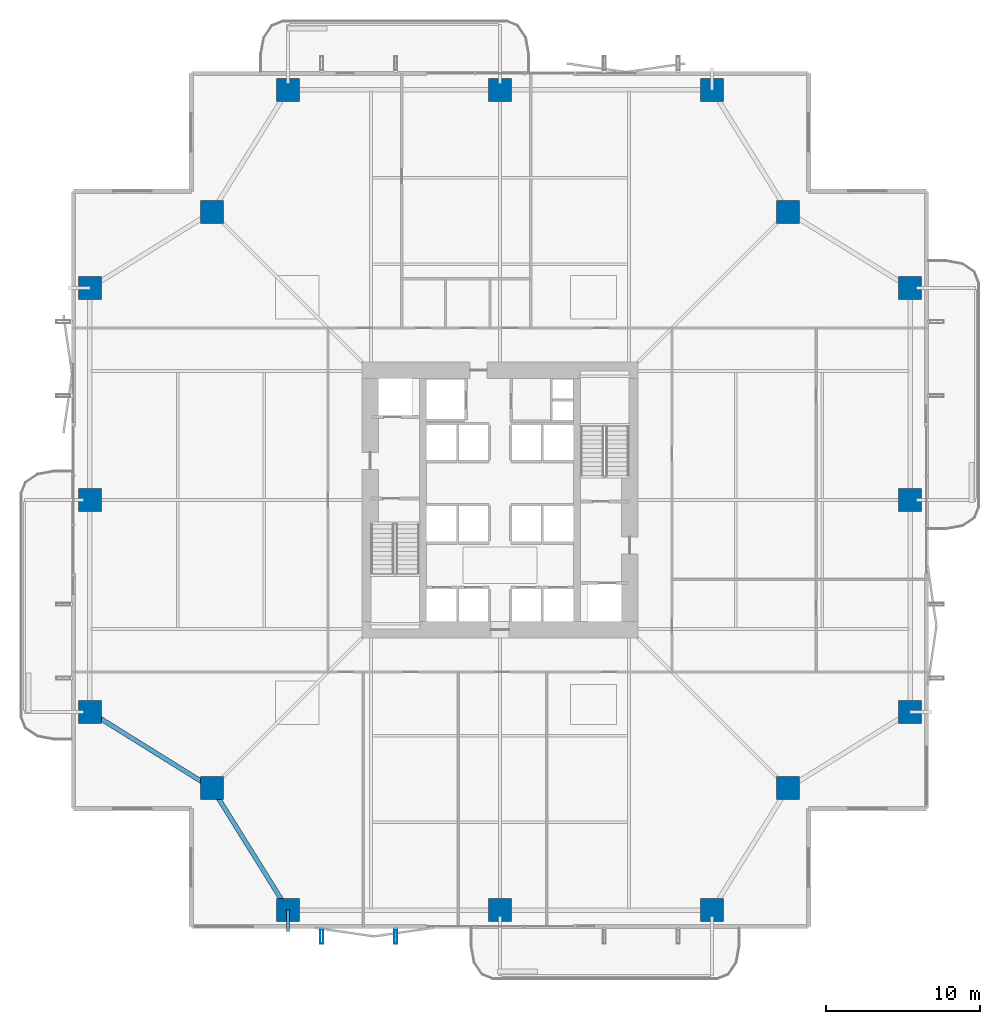
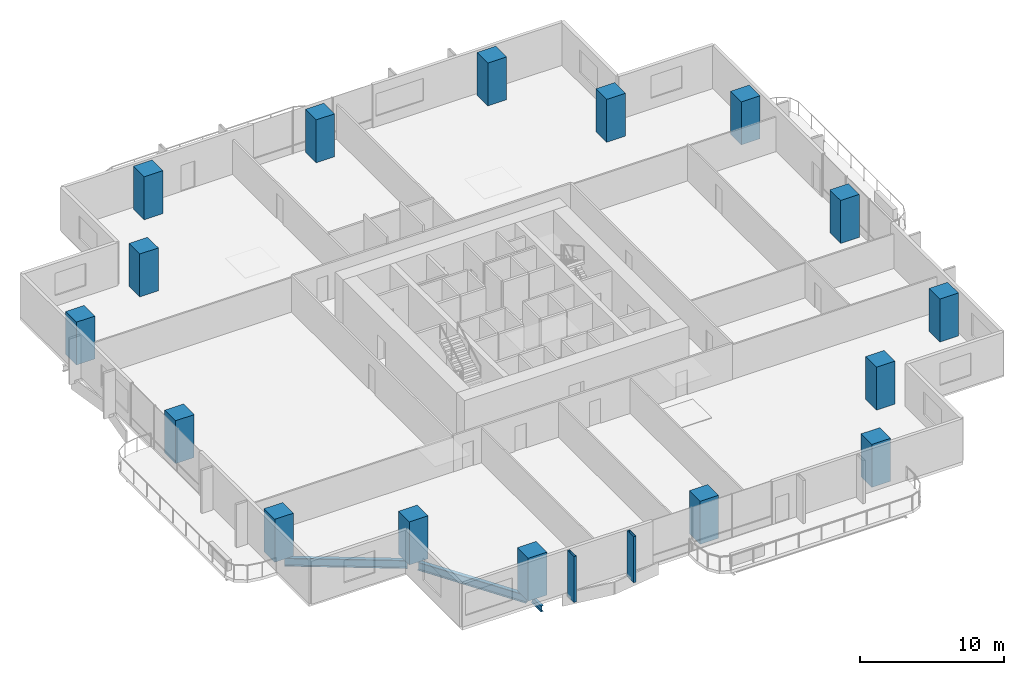
# One storey, part 1 of 24: 16 columns, 3 beams, 2 members.
"""IFC4 building model written with IfcOpenShell, lengths in metres."""

from ifc_helpers import new_model, si_unit, direction, frame, origin, origin_2d, place, context, subcontext, project, spatial, rectangle, hollow_rectangle, i_section, extrude, material, material_profile, profile_set, type_object, element, save


model = new_model("IFC4")

# Units and contexts
model_context = context("Model", 3, precision=1e-05, world=origin(), true_north=direction((0.0, 1.0)))
body_context = subcontext(model_context, "Body", "Model", "MODEL_VIEW")
ifc_project = project(units=[si_unit("LENGTHUNIT", "METRE"), si_unit("AREAUNIT", "SQUARE_METRE"), si_unit("VOLUMEUNIT", "CUBIC_METRE"), si_unit("PLANEANGLEUNIT", "RADIAN"), si_unit("MASSUNIT", "GRAM", prefix="KILO")], contexts=[model_context])

# Site, building, storey
site_placement = place(None, origin())
site = spatial("IfcSite", under=ifc_project, at=site_placement, CompositionType="ELEMENT")
building_placement = place(site_placement, origin())
building = spatial("IfcBuilding", under=site, at=building_placement, Name="Belovzor Exchange Tower", CompositionType="ELEMENT")
storey_placement = place(building_placement, frame((0.0, 0.0, 96.300048828125)))
storey = spatial("IfcBuildingStorey", under=building, at=storey_placement, Name="L23", CompositionType="ELEMENT", Elevation=96.300048828125)

# Columns
ifc_material_1 = material(Name="Concrete C60/75", Category="concrete")
ifc_material_profile_1 = material_profile(ifc_material_1, rectangle(XDim=1.5, YDim=1.5, at=origin_2d()))
ifc_profile_set_1 = profile_set([ifc_material_profile_1], Name="Concrete C60/75")
column_type = type_object("IfcColumnType", Name="Reinforced Concrete Tower Column 1500x1500", PredefinedType="COLUMN", material=ifc_profile_set_1)
for number, where, z_axis, x_axis, name in (
    (1, (15.0, 2.10009765625, 0.0029296875), (0.0, 0.0, 1.0), (1.0, 0.0, 0.0), "COL-T150 Reinforced Concrete Tower Column 1500x1500"),
    (2, (28.800048828125, 2.10009765625, 0.0029296875), (0.0, 0.0, 1.0), (1.0, 0.0, 0.0), "COL-T150 Reinforced Concrete Tower Column 1500x1500"),
    (3, (42.60009765625, 2.10009765625, 0.0029296875), (0.0, 0.0, 1.0), (1.0, 0.0, 0.0), "COL-T150 Reinforced Concrete Tower Column 1500x1500"),
    (4, (55.5, 15.0, 0.0029296875), (0.0, 0.0, 1.0), (1.0, 0.0, 0.0), "COL-T150 Reinforced Concrete Tower Column 1500x1500"),
    (5, (55.5, 28.800048828125, 0.0029296875), (0.0, 0.0, 1.0), (1.0, 0.0, 0.0), "COL-T150 Reinforced Concrete Tower Column 1500x1500"),
    (6, (55.5, 42.60009765625, 0.0029296875), (0.0, 0.0, 1.0), (1.0, 0.0, 0.0), "COL-T150 Reinforced Concrete Tower Column 1500x1500"),
    (7, (42.60009765625, 55.5, 0.0029296875), (0.0, 0.0, 1.0), (1.0, 0.0, 0.0), "COL-T150 Reinforced Concrete Tower Column 1500x1500"),
    (8, (28.800048828125, 55.5, 0.0029296875), (0.0, 0.0, 1.0), (1.0, 0.0, 0.0), "COL-T150 Reinforced Concrete Tower Column 1500x1500"),
    (9, (15.0, 55.5, 0.0029296875), (0.0, 0.0, 1.0), (1.0, 0.0, 0.0), "COL-T150 Reinforced Concrete Tower Column 1500x1500"),
    (10, (2.10009765625, 42.60009765625, 0.0029296875), (0.0, 0.0, 1.0), (1.0, 0.0, 0.0), "COL-T150 Reinforced Concrete Tower Column 1500x1500"),
    (11, (2.10009765625, 28.800048828125, 0.0029296875), (0.0, 0.0, 1.0), (1.0, 0.0, 0.0), "COL-T150 Reinforced Concrete Tower Column 1500x1500"),
    (12, (2.10009765625, 15.0, 0.0029296875), (0.0, 0.0, 1.0), (1.0, 0.0, 0.0), "COL-T150 Reinforced Concrete Tower Column 1500x1500"),
    (13, (10.050048828125, 10.050048828125, 0.0029296875), (0.0, 0.0, 1.0), (1.0, 0.0, 0.0), "COL-T150 Reinforced Concrete Tower Column 1500x1500"),
    (14, (47.550048828125, 10.050048828125, 0.0029296875), (0.0, 0.0, 1.0), (1.0, 0.0, 0.0), "COL-T150 Reinforced Concrete Tower Column 1500x1500"),
    (15, (47.550048828125, 47.550048828125, 0.0029296875), (0.0, 0.0, 1.0), (1.0, 0.0, 0.0), "COL-T150 Reinforced Concrete Tower Column 1500x1500"),
    (16, (10.050048828125, 47.550048828125, 0.0029296875), (0.0, 0.0, 1.0), (1.0, 0.0, 0.0), "COL-T150 Reinforced Concrete Tower Column 1500x1500"),
):
    element("IfcColumn", number, at=place(storey_placement, frame(where, z_axis=z_axis, x_axis=x_axis)), inside=storey, type_object=column_type, Name=name, PredefinedType="COLUMN", context=body_context, shape_type="SweptSolid", body=[
        extrude(rectangle(XDim=1.5, YDim=1.5, at=origin_2d()), origin(), (0.0, 0.0, 1.0), 3.64404296875),
    ])

# Beam
ifc_material_2 = material(Name="Steel S355", Category="steel")
ifc_material_profile_2 = material_profile(ifc_material_2, i_section(OverallWidth=0.199951171875, OverallDepth=0.5, WebThickness=0.01025390625, FlangeThickness=0.01611328125, at=origin_2d()))
ifc_profile_set_2 = profile_set([ifc_material_profile_2], Name="Steel S355")
beam_type_1 = type_object("IfcBeamType", Name="Planted Balcony Cantilever Beam IPE 500", PredefinedType="BEAM", material=ifc_profile_set_2)
beam_placement = place(storey_placement, frame((15.0, 2.10009765625, -0.5), z_axis=(0.0, -1.0, 0.0), x_axis=(1.0, 0.0, 0.0)))
element("IfcBeam", 17, at=beam_placement, inside=storey, type_object=beam_type_1, Name="BC-500 Planted Balcony Cantilever Beam IPE 500", PredefinedType="BEAM", context=body_context, shape_type="SweptSolid", body=[
    extrude(i_section(OverallWidth=0.199951171875, OverallDepth=0.5, WebThickness=0.01025390625, FlangeThickness=0.01611328125, at=origin_2d()), origin(), (0.0, 0.0, 1.0), 1.400146484375),
])

# Members
ifc_material_3 = material(Name="Extruded Architectural Terracotta on Steel S355 Carrier", Category="masonry")
ifc_material_profile_3 = material_profile(ifc_material_3, hollow_rectangle(XDim=0.199951171875, YDim=0.89990234375, WallThickness=0.011962890625, at=origin_2d()))
ifc_profile_set_3 = profile_set([ifc_material_profile_3], Name="Extruded Architectural Terracotta on Steel S355 Carrier")
member_type = type_object("IfcMemberType", Name="Sweeping Terracotta Baguette Fin Assembly 1250", PredefinedType="USERDEFINED", material=ifc_profile_set_3)
for number, where, z_axis, x_axis, name in (
    (18, (17.199951171875, 0.375, -0.25), (0.0, 0.0, 1.0), (1.0, 0.0, 0.0), "FIN-TC125 Terracotta Facade Fin L23 S1"),
    (19, (22.0, 0.375, -0.25), (0.0, 0.0, 1.0), (1.0, 0.0, 0.0), "FIN-TC125 Terracotta Facade Fin L23 S2"),
):
    element("IfcMember", number, at=place(storey_placement, frame(where, z_axis=z_axis, x_axis=x_axis)), inside=storey, type_object=member_type, Name=name, ObjectType="FIN", PredefinedType="USERDEFINED", context=body_context, shape_type="SweptSolid", body=[
        extrude(hollow_rectangle(XDim=0.199951171875, YDim=0.89990234375, WallThickness=0.011962890625, at=origin_2d()), origin(), (0.0, 0.0, 1.0), 3.89990234375),
    ])

# Beams
ifc_material_4 = material(Name="Steel S355", Category="steel")
ifc_material_profile_4 = material_profile(ifc_material_4, i_section(OverallWidth=0.300048828125, OverallDepth=0.699951171875, WebThickness=0.01708984375, FlangeThickness=0.031982421875, at=origin_2d()))
ifc_profile_set_4 = profile_set([ifc_material_profile_4], Name="Steel S355")
beam_type_2 = type_object("IfcBeamType", Name="Zone 1 Primary Perimeter Girder HEB 700", PredefinedType="BEAM", material=ifc_profile_set_4)
for number, where, z_axis, x_axis, name in (
    (20, (10.26806640625, 9.699951171875, -0.60009765625), (0.528538629686, -0.848909251292, 0.0), (0.848909251292, 0.528538629686, 0.0), "FG-Z1 Zone 1 Primary Perimeter Girder HEB 700"),
    (21, (2.449951171875, 14.781982421875, -0.60009765625), (0.848909251292, -0.528538629686, 0.0), (0.528538629686, 0.848909251292, 0.0), "FG-Z1 Zone 1 Primary Perimeter Girder HEB 700"),
):
    element("IfcBeam", number, at=place(storey_placement, frame(where, z_axis=z_axis, x_axis=x_axis)), inside=storey, type_object=beam_type_2, Name=name, PredefinedType="BEAM", context=body_context, shape_type="SweptSolid", body=[
        extrude(i_section(OverallWidth=0.300048828125, OverallDepth=0.699951171875, WebThickness=0.01708984375, FlangeThickness=0.031982421875, at=origin_2d()), origin(), (0.0, 0.0, 1.0), 8.540283203125),
    ])

save(model, "model.ifc")
